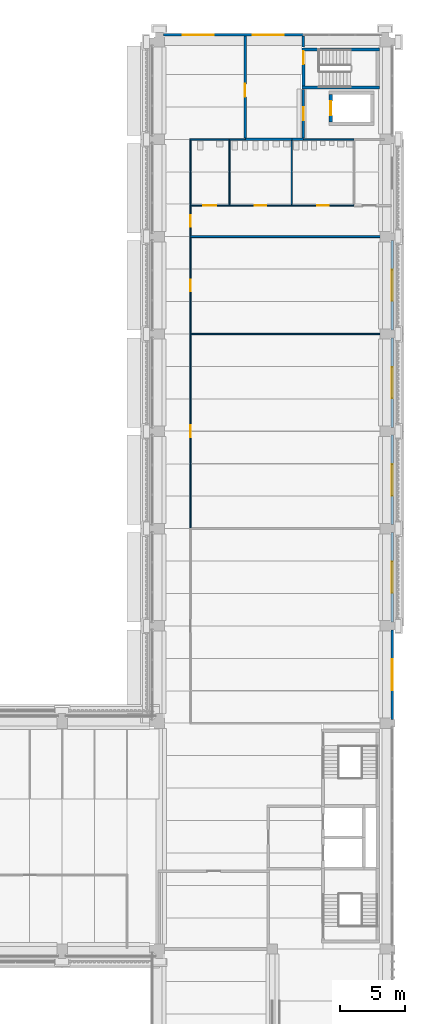
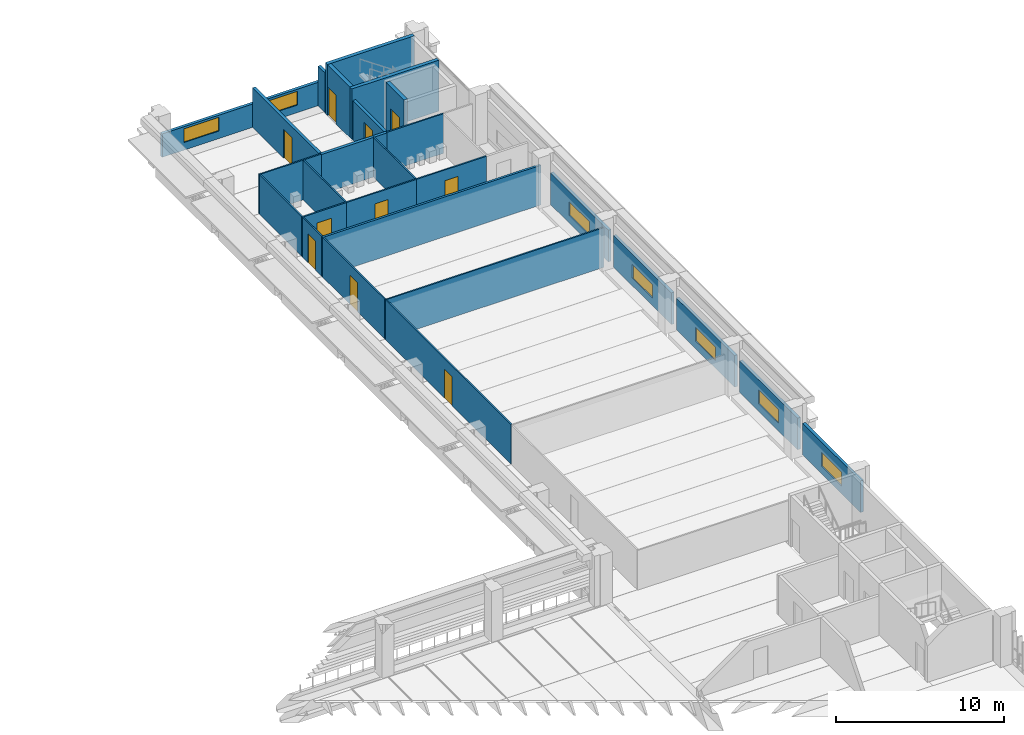
# One storey, part 36 of 71: 29 walls, 10 doors, 7 windows, 17 openings.
"""IFC4 building model written with IfcOpenShell, lengths in metres."""

from ifc_helpers import new_model, si_unit, direction, frame, frame_2d, origin, place, context, subcontext, project, spatial, rectangle, extrude, material, layer, layer_set, type_object, element, fill, save


model = new_model("IFC4")

# Units and contexts
model_context = context("Model", 3, precision=1e-05, world=origin(), true_north=direction((0.0, 1.0)))
body_context = subcontext(model_context, "Body", "Model", "MODEL_VIEW")
ifc_project = project(units=[si_unit("LENGTHUNIT", "METRE"), si_unit("AREAUNIT", "SQUARE_METRE"), si_unit("VOLUMEUNIT", "CUBIC_METRE"), si_unit("PLANEANGLEUNIT", "RADIAN"), si_unit("MASSUNIT", "GRAM", prefix="KILO")], contexts=[model_context])

# Site, building, storey
site_placement = place(None, origin())
site = spatial("IfcSite", under=ifc_project, at=site_placement, CompositionType="ELEMENT")
building_placement = place(site_placement, origin())
building = spatial("IfcBuilding", under=site, at=building_placement, Name="Cour d'Honneur Mobility Palace", CompositionType="ELEMENT")
storey_placement = place(building_placement, frame((0.0, 0.0, 15.60009765625)))
storey = spatial("IfcBuildingStorey", under=building, at=storey_placement, Name="L04", CompositionType="ELEMENT", Elevation=15.60009765625)

# Wall, opening, door
ifc_material_1 = material(Name="Concrete C50", Category="concrete")
ifc_layer_1 = layer(ifc_material_1, 0.25)
ifc_layer_set_1 = layer_set([ifc_layer_1], Name="Concrete C50")
wall_type_1 = type_object("IfcWallType", Name="Lift shaft wall 250", PredefinedType="SHEAR", material=ifc_layer_set_1)
wall_1_placement = place(storey_placement, frame((158.10009765625, 108.72509765625, 0.0), z_axis=(0.0, 0.0, 1.0), x_axis=(0.0, 1.0, 0.0)))
wall_1 = element("IfcWall", 1, at=wall_1_placement, inside=storey, type_object=wall_type_1, Name="Lift shaft wall WL-NE6 L04", PredefinedType="SHEAR", context=body_context, shape_type="SweptSolid", body=[
    extrude(rectangle(XDim=2.14990234375, YDim=0.25, at=frame_2d((1.074951171875, 0.0))), origin(), (0.0, 0.0, 1.0), 3.699951171875),
])
opening_1_placement = place(wall_1_placement, frame((0.52490234375, 0.0, 0.0)))
opening_1 = element("IfcOpeningElement", 2, at=opening_1_placement, cuts=wall_1, Name="Opening LD63", PredefinedType="OPENING", context=body_context, shape_type="SweptSolid", body=[
    extrude(rectangle(XDim=1.10009765625, YDim=2.10009765625, at=frame_2d((0.550048828125, 1.050048828125))), frame((0.0, 0.135009765625, 0.0), z_axis=(0.0, -1.0, 0.0), x_axis=(1.0, 0.0, 0.0)), (0.0, 0.0, 1.0), 0.27001953125),
])
ifc_material_2 = material(Name="Stainless steel", Category="steel")
door_type_1 = type_object("IfcDoorType", Name="Landing door 1100 x 2100", OperationType="SLIDING_TO_LEFT", PredefinedType="DOOR", material=ifc_material_2)
door_1_placement = place(opening_1_placement, origin())
door_1 = element("IfcDoor", 3, at=door_1_placement, inside=storey, type_object=door_type_1, Name="Landing door LF-NE1 L04", OperationType="SLIDING_TO_LEFT", OverallHeight=2.10009765625, OverallWidth=1.10009765625, PredefinedType="DOOR", context=body_context, shape_type="SweptSolid", body=[
    extrude(rectangle(XDim=1.10009765625, YDim=2.10009765625, at=frame_2d((0.550048828125, 1.050048828125))), frame((0.0, 0.02490234375, 0.0), z_axis=(0.0, -1.0, 0.0), x_axis=(1.0, 0.0, 0.0)), (0.0, 0.0, 1.0), 0.050048828125),
])
fill(opening_1, door_1)

ifc_material_3 = material(Name="Concrete C50", Category="concrete")
ifc_layer_2 = layer(ifc_material_3, 0.199951171875)
ifc_layer_set_2 = layer_set([ifc_layer_2], Name="Concrete C50")
wall_type_2 = type_object("IfcWallType", Name="Load-bearing lobby wall 200 rated EI 120", PredefinedType="PARTITIONING", material=ifc_layer_set_2)
wall_2_placement = place(storey_placement, frame((156.0, 107.5, 0.0), z_axis=(0.0, 0.0, 1.0), x_axis=(0.0, 1.0, 0.0)))
wall_2 = element("IfcWall", 4, at=wall_2_placement, inside=storey, type_object=wall_type_2, Name="Partition 102", PredefinedType="PARTITIONING", context=body_context, shape_type="SweptSolid", body=[
    extrude(rectangle(XDim=3.72509765625, YDim=0.199951171875, at=frame_2d((1.862548828125, 0.0))), origin(), (0.0, 0.0, 1.0), 2.8798828125),
])
opening_2_placement = place(wall_2_placement, frame((1.362548828125, 0.0, 0.0)))
opening_2 = element("IfcOpeningElement", 5, at=opening_2_placement, cuts=wall_2, Name="Opening D0439", PredefinedType="OPENING", context=body_context, shape_type="SweptSolid", body=[
    extrude(rectangle(XDim=1.0, YDim=2.10009765625, at=frame_2d((0.5, 1.050048828125))), frame((0.0, 0.10986328125, 0.0), z_axis=(0.0, -1.0, 0.0), x_axis=(1.0, 0.0, 0.0)), (0.0, 0.0, 1.0), 0.219970703125),
])
ifc_material_4 = material(Name="Galvanised steel", Category="steel")
door_type_2 = type_object("IfcDoorType", Name="Fire door FD120 1000 x 2100", OperationType="SINGLE_SWING_LEFT", PredefinedType="DOOR", material=ifc_material_4)
door_2_placement = place(opening_2_placement, origin())
door_2 = element("IfcDoor", 6, at=door_2_placement, inside=storey, type_object=door_type_2, Name="Door Lift Lobby", OperationType="SINGLE_SWING_RIGHT", OverallHeight=2.10009765625, OverallWidth=1.0, PredefinedType="DOOR", context=body_context, shape_type="SweptSolid", body=[
    extrude(rectangle(XDim=1.0, YDim=2.10009765625, at=frame_2d((0.5, 1.050048828125))), frame((0.0, 0.02490234375, 0.0), z_axis=(0.0, -1.0, 0.0), x_axis=(1.0, 0.0, 0.0)), (0.0, 0.0, 1.0), 0.050048828125),
])
fill(opening_2, door_2)

ifc_material_5 = material(Name="Gypsum plasterboard")
ifc_layer_3 = layer(ifc_material_5, 0.10009765625)
ifc_layer_set_3 = layer_set([ifc_layer_3], Name="Gypsum plasterboard")
wall_type_3 = type_object("IfcWallType", Name="Partition 100", PredefinedType="PARTITIONING", material=ifc_layer_set_3)
wall_3_placement = place(storey_placement, frame((147.300048828125, 92.35009765625, 0.0), z_axis=(0.0, 0.0, 1.0), x_axis=(0.0, -1.0, 0.0)))
wall_3 = element("IfcWall", 7, at=wall_3_placement, inside=storey, type_object=wall_type_3, Name="Partition 069", PredefinedType="PARTITIONING", context=body_context, shape_type="SweptSolid", body=[
    extrude(rectangle(XDim=14.900146484375, YDim=0.10009765625, at=frame_2d((7.4501953125, 0.0))), origin(), (0.0, 0.0, 1.0), 2.8798828125),
])
opening_3_placement = place(wall_3_placement, frame((7.0, 0.0, 0.0)))
opening_3 = element("IfcOpeningElement", 8, at=opening_3_placement, cuts=wall_3, Name="Opening D0430", PredefinedType="OPENING", context=body_context, shape_type="SweptSolid", body=[
    extrude(rectangle(XDim=0.89990234375, YDim=2.10009765625, at=frame_2d((0.449951171875, 1.050048828125))), frame((0.0, 0.06005859375, 0.0), z_axis=(0.0, -1.0, 0.0), x_axis=(1.0, 0.0, 0.0)), (0.0, 0.0, 1.0), 0.1201171875),
])
ifc_material_6 = material(Name="Solid timber", Category="wood")
door_type_3 = type_object("IfcDoorType", Name="Single door 900 x 2100", OperationType="SINGLE_SWING_LEFT", PredefinedType="DOOR", material=ifc_material_6)
door_3_placement = place(opening_3_placement, origin())
door_3 = element("IfcDoor", 9, at=door_3_placement, inside=storey, type_object=door_type_3, Name="Door Community Room 2", OperationType="SINGLE_SWING_LEFT", OverallHeight=2.10009765625, OverallWidth=0.89990234375, PredefinedType="DOOR", context=body_context, shape_type="SweptSolid", body=[
    extrude(rectangle(XDim=0.89990234375, YDim=2.10009765625, at=frame_2d((0.449951171875, 1.050048828125))), frame((0.0, 0.02490234375, 0.0), z_axis=(0.0, -1.0, 0.0), x_axis=(1.0, 0.0, 0.0)), (0.0, 0.0, 1.0), 0.050048828125),
])
fill(opening_3, door_3)

# Wall
wall_4_placement = place(storey_placement, frame((162.239990234375, 92.39990234375, 0.0), z_axis=(0.0, 0.0, 1.0), x_axis=(-1.0, 0.0, 0.0)))
element("IfcWall", 10, at=wall_4_placement, inside=storey, type_object=wall_type_3, Name="Partition 070", PredefinedType="PARTITIONING", context=body_context, shape_type="SweptSolid", body=[
    extrude(rectangle(XDim=14.989990234375, YDim=0.10009765625, at=frame_2d((7.4951171875, 0.0))), origin(), (0.0, 0.0, 1.0), 2.8798828125),
])

# Wall, opening, door
wall_5_placement = place(storey_placement, frame((147.300048828125, 99.824951171875, 0.0), z_axis=(0.0, 0.0, 1.0), x_axis=(0.0, -1.0, 0.0)))
wall_5 = element("IfcWall", 11, at=wall_5_placement, inside=storey, type_object=wall_type_3, Name="Partition 073", PredefinedType="PARTITIONING", context=body_context, shape_type="SweptSolid", body=[
    extrude(rectangle(XDim=7.375, YDim=0.10009765625, at=frame_2d((3.6875, 0.0))), origin(), (0.0, 0.0, 1.0), 2.8798828125),
])
opening_4_placement = place(wall_5_placement, frame((3.237548828125, 0.0, 0.0)))
opening_4 = element("IfcOpeningElement", 12, at=opening_4_placement, cuts=wall_5, Name="Opening D0431", PredefinedType="OPENING", context=body_context, shape_type="SweptSolid", body=[
    extrude(rectangle(XDim=0.89990234375, YDim=2.10009765625, at=frame_2d((0.449951171875, 1.050048828125))), frame((0.0, 0.06005859375, 0.0), z_axis=(0.0, -1.0, 0.0), x_axis=(1.0, 0.0, 0.0)), (0.0, 0.0, 1.0), 0.1201171875),
])
door_4_placement = place(opening_4_placement, origin())
door_4 = element("IfcDoor", 13, at=door_4_placement, inside=storey, type_object=door_type_3, Name="Door Mobility Shop", OperationType="SINGLE_SWING_LEFT", OverallHeight=2.10009765625, OverallWidth=0.89990234375, PredefinedType="DOOR", context=body_context, shape_type="SweptSolid", body=[
    extrude(rectangle(XDim=0.89990234375, YDim=2.10009765625, at=frame_2d((0.449951171875, 1.050048828125))), frame((0.0, 0.02490234375, 0.0), z_axis=(0.0, -1.0, 0.0), x_axis=(1.0, 0.0, 0.0)), (0.0, 0.0, 1.0), 0.050048828125),
])
fill(opening_4, door_4)

wall_6_placement = place(storey_placement, frame((147.300048828125, 102.25, 0.0), z_axis=(0.0, 0.0, 1.0), x_axis=(0.0, -1.0, 0.0)))
wall_6 = element("IfcWall", 14, at=wall_6_placement, inside=storey, type_object=wall_type_3, Name="Partition 083", PredefinedType="PARTITIONING", context=body_context, shape_type="SweptSolid", body=[
    extrude(rectangle(XDim=2.27490234375, YDim=0.10009765625, at=frame_2d((1.137451171875, 0.0))), origin(), (0.0, 0.0, 1.0), 2.8798828125),
])
opening_5_placement = place(wall_6_placement, frame((0.6875, 0.0, 0.0)))
opening_5 = element("IfcOpeningElement", 15, at=opening_5_placement, cuts=wall_6, Name="Opening D0432", PredefinedType="OPENING", context=body_context, shape_type="SweptSolid", body=[
    extrude(rectangle(XDim=0.89990234375, YDim=2.10009765625, at=frame_2d((0.449951171875, 1.050048828125))), frame((0.0, 0.06005859375, 0.0), z_axis=(0.0, -1.0, 0.0), x_axis=(1.0, 0.0, 0.0)), (0.0, 0.0, 1.0), 0.1201171875),
])
door_5_placement = place(opening_5_placement, origin())
door_5 = element("IfcDoor", 16, at=door_5_placement, inside=storey, type_object=door_type_3, Name="Door WC Corridor East", OperationType="SINGLE_SWING_LEFT", OverallHeight=2.10009765625, OverallWidth=0.89990234375, PredefinedType="DOOR", context=body_context, shape_type="SweptSolid", body=[
    extrude(rectangle(XDim=0.89990234375, YDim=2.10009765625, at=frame_2d((0.449951171875, 1.050048828125))), frame((0.0, 0.02490234375, 0.0), z_axis=(0.0, -1.0, 0.0), x_axis=(1.0, 0.0, 0.0)), (0.0, 0.0, 1.0), 0.050048828125),
])
fill(opening_5, door_5)

wall_7_placement = place(storey_placement, frame((150.300048828125, 102.300048828125, 0.0), z_axis=(0.0, 0.0, 1.0), x_axis=(-1.0, 0.0, 0.0)))
wall_7 = element("IfcWall", 17, at=wall_7_placement, inside=storey, type_object=wall_type_3, Name="Partition 084", PredefinedType="PARTITIONING", context=body_context, shape_type="SweptSolid", body=[
    extrude(rectangle(XDim=3.050048828125, YDim=0.10009765625, at=frame_2d((1.52490234375, 0.0))), origin(), (0.0, 0.0, 1.0), 2.8798828125),
])
opening_6_placement = place(wall_7_placement, frame((1.02490234375, 0.0, 0.0)))
opening_6 = element("IfcOpeningElement", 18, at=opening_6_placement, cuts=wall_7, Name="Opening D0436", PredefinedType="OPENING", context=body_context, shape_type="SweptSolid", body=[
    extrude(rectangle(XDim=1.0, YDim=2.10009765625, at=frame_2d((0.5, 1.050048828125))), frame((0.0, 0.06005859375, 0.0), z_axis=(0.0, -1.0, 0.0), x_axis=(1.0, 0.0, 0.0)), (0.0, 0.0, 1.0), 0.1201171875),
])
ifc_material_7 = material(Name="Solid timber", Category="wood")
door_type_4 = type_object("IfcDoorType", Name="Accessible door 1000 x 2100", OperationType="SINGLE_SWING_LEFT", PredefinedType="DOOR", material=ifc_material_7)
door_6_placement = place(opening_6_placement, origin())
door_6 = element("IfcDoor", 19, at=door_6_placement, inside=storey, type_object=door_type_4, Name="Door Accessible WC East", OperationType="SINGLE_SWING_RIGHT", OverallHeight=2.10009765625, OverallWidth=1.0, PredefinedType="DOOR", context=body_context, shape_type="SweptSolid", body=[
    extrude(rectangle(XDim=1.0, YDim=2.10009765625, at=frame_2d((0.5, 1.050048828125))), frame((0.0, 0.02490234375, 0.0), z_axis=(0.0, -1.0, 0.0), x_axis=(1.0, 0.0, 0.0)), (0.0, 0.0, 1.0), 0.050048828125),
])
fill(opening_6, door_6)

wall_8_placement = place(storey_placement, frame((155.10009765625, 102.300048828125, 0.0), z_axis=(0.0, 0.0, 1.0), x_axis=(-1.0, 0.0, 0.0)))
wall_8 = element("IfcWall", 20, at=wall_8_placement, inside=storey, type_object=wall_type_3, Name="Partition 085", PredefinedType="PARTITIONING", context=body_context, shape_type="SweptSolid", body=[
    extrude(rectangle(XDim=4.800048828125, YDim=0.10009765625, at=frame_2d((2.39990234375, 0.0))), origin(), (0.0, 0.0, 1.0), 2.8798828125),
])
opening_7_placement = place(wall_8_placement, frame((1.949951171875, 0.0, 0.0)))
opening_7 = element("IfcOpeningElement", 21, at=opening_7_placement, cuts=wall_8, Name="Opening D0435", PredefinedType="OPENING", context=body_context, shape_type="SweptSolid", body=[
    extrude(rectangle(XDim=0.89990234375, YDim=2.10009765625, at=frame_2d((0.449951171875, 1.050048828125))), frame((0.0, 0.06005859375, 0.0), z_axis=(0.0, -1.0, 0.0), x_axis=(1.0, 0.0, 0.0)), (0.0, 0.0, 1.0), 0.1201171875),
])
door_7_placement = place(opening_7_placement, origin())
door_7 = element("IfcDoor", 22, at=door_7_placement, inside=storey, type_object=door_type_3, Name="Door WC Women East", OperationType="SINGLE_SWING_LEFT", OverallHeight=2.10009765625, OverallWidth=0.89990234375, PredefinedType="DOOR", context=body_context, shape_type="SweptSolid", body=[
    extrude(rectangle(XDim=0.89990234375, YDim=2.10009765625, at=frame_2d((0.449951171875, 1.050048828125))), frame((0.0, 0.02490234375, 0.0), z_axis=(0.0, -1.0, 0.0), x_axis=(1.0, 0.0, 0.0)), (0.0, 0.0, 1.0), 0.050048828125),
])
fill(opening_7, door_7)

wall_9_placement = place(storey_placement, frame((159.89990234375, 102.300048828125, 0.0), z_axis=(0.0, 0.0, 1.0), x_axis=(-1.0, 0.0, 0.0)))
wall_9 = element("IfcWall", 23, at=wall_9_placement, inside=storey, type_object=wall_type_3, Name="Partition 086", PredefinedType="PARTITIONING", context=body_context, shape_type="SweptSolid", body=[
    extrude(rectangle(XDim=4.7998046875, YDim=0.10009765625, at=frame_2d((2.39990234375, 0.0))), origin(), (0.0, 0.0, 1.0), 2.8798828125),
])
opening_8_placement = place(wall_9_placement, frame((1.949951171875, 0.0, 0.0)))
opening_8 = element("IfcOpeningElement", 24, at=opening_8_placement, cuts=wall_9, Name="Opening D0434", PredefinedType="OPENING", context=body_context, shape_type="SweptSolid", body=[
    extrude(rectangle(XDim=0.89990234375, YDim=2.10009765625, at=frame_2d((0.449951171875, 1.050048828125))), frame((0.0, 0.06005859375, 0.0), z_axis=(0.0, -1.0, 0.0), x_axis=(1.0, 0.0, 0.0)), (0.0, 0.0, 1.0), 0.1201171875),
])
door_8_placement = place(opening_8_placement, origin())
door_8 = element("IfcDoor", 25, at=door_8_placement, inside=storey, type_object=door_type_3, Name="Door WC Men East", OperationType="SINGLE_SWING_LEFT", OverallHeight=2.10009765625, OverallWidth=0.89990234375, PredefinedType="DOOR", context=body_context, shape_type="SweptSolid", body=[
    extrude(rectangle(XDim=0.89990234375, YDim=2.10009765625, at=frame_2d((0.449951171875, 1.050048828125))), frame((0.0, 0.02490234375, 0.0), z_axis=(0.0, -1.0, 0.0), x_axis=(1.0, 0.0, 0.0)), (0.0, 0.0, 1.0), 0.050048828125),
])
fill(opening_8, door_8)

# Walls
for number, where, z_axis, x_axis, name in (
    (26, (147.300048828125, 107.35009765625, 0.0), (0.0, 0.0, 1.0), (0.0, -1.0, 0.0), "Partition 095"),
    (27, (150.300048828125, 107.35009765625, 0.0), (0.0, 0.0, 1.0), (0.0, -1.0, 0.0), "Partition 096"),
):
    element("IfcWall", number, at=place(storey_placement, frame(where, z_axis=z_axis, x_axis=x_axis)), inside=storey, type_object=wall_type_3, Name=name, PredefinedType="PARTITIONING", context=body_context, shape_type="SweptSolid", body=[
        extrude(rectangle(XDim=5.0, YDim=0.10009765625, at=frame_2d((2.5, 0.0))), origin(), (0.0, 0.0, 1.0), 2.8798828125),
    ])
wall_10_placement = place(storey_placement, frame((150.300048828125, 107.39990234375, 0.0), z_axis=(0.0, 0.0, 1.0), x_axis=(-1.0, 0.0, 0.0)))
element("IfcWall", 28, at=wall_10_placement, inside=storey, type_object=wall_type_3, Name="Partition 097", PredefinedType="PARTITIONING", context=body_context, shape_type="SweptSolid", body=[
    extrude(rectangle(XDim=3.050048828125, YDim=0.10009765625, at=frame_2d((1.52490234375, 0.0))), origin(), (0.0, 0.0, 1.0), 2.8798828125),
])
wall_11_placement = place(storey_placement, frame((151.5, 107.39990234375, 0.0), z_axis=(0.0, 0.0, 1.0), x_axis=(-1.0, 0.0, 0.0)))
element("IfcWall", 29, at=wall_11_placement, inside=storey, type_object=wall_type_3, Name="Partition 098", PredefinedType="PARTITIONING", context=body_context, shape_type="SweptSolid", body=[
    extrude(rectangle(XDim=1.199951171875, YDim=0.10009765625, at=frame_2d((0.60009765625, 0.0))), origin(), (0.0, 0.0, 1.0), 2.8798828125),
])
wall_12_placement = place(storey_placement, frame((155.10009765625, 107.300048828125, 0.0), z_axis=(0.0, 0.0, 1.0), x_axis=(0.0, -1.0, 0.0)))
element("IfcWall", 30, at=wall_12_placement, inside=storey, type_object=wall_type_3, Name="Partition 100", PredefinedType="PARTITIONING", context=body_context, shape_type="SweptSolid", body=[
    extrude(rectangle(XDim=4.949951171875, YDim=0.10009765625, at=frame_2d((2.47509765625, 0.0))), origin(), (0.0, 0.0, 1.0), 2.8798828125),
])
wall_13_placement = place(storey_placement, frame((159.89990234375, 107.39990234375, 0.0), z_axis=(0.0, 0.0, 1.0), x_axis=(-1.0, 0.0, 0.0)))
element("IfcWall", 31, at=wall_13_placement, inside=storey, type_object=wall_type_3, Name="Partition 104", PredefinedType="PARTITIONING", context=body_context, shape_type="SweptSolid", body=[
    extrude(rectangle(XDim=3.89990234375, YDim=0.10009765625, at=frame_2d((1.949951171875, 0.0))), origin(), (0.0, 0.0, 1.0), 2.8798828125),
])
ifc_material_8 = material(Name="Gypsum plasterboard")
ifc_layer_4 = layer(ifc_material_8, 0.14990234375)
ifc_layer_set_4 = layer_set([ifc_layer_4], Name="Gypsum plasterboard")
wall_type_4 = type_object("IfcWallType", Name="Partition 150 rated EI 60", PredefinedType="PARTITIONING", material=ifc_layer_set_4)
wall_14_placement = place(storey_placement, frame((162.239990234375, 99.89990234375, 0.0), z_axis=(0.0, 0.0, 1.0), x_axis=(-1.0, 0.0, 0.0)))
element("IfcWall", 32, at=wall_14_placement, inside=storey, type_object=wall_type_4, Name="Partition 074", PredefinedType="PARTITIONING", context=body_context, shape_type="SweptSolid", body=[
    extrude(rectangle(XDim=14.989990234375, YDim=0.14990234375, at=frame_2d((7.4951171875, 0.0))), origin(), (0.0, 0.0, 1.0), 2.8798828125),
])
ifc_material_9 = material(Name="Gypsum plasterboard")
ifc_layer_5 = layer(ifc_material_9, 0.199951171875)
ifc_layer_set_5 = layer_set([ifc_layer_5], Name="Gypsum plasterboard")
wall_type_5 = type_object("IfcWallType", Name="Partition 200 rated EI 120", PredefinedType="PARTITIONING", material=ifc_layer_set_5)
wall_15_placement = place(storey_placement, frame((151.5, 107.39990234375, 0.0), z_axis=(0.0, 0.0, 1.0), x_axis=(1.0, 0.0, 0.0)))
element("IfcWall", 33, at=wall_15_placement, inside=storey, type_object=wall_type_5, Name="Partition 099", PredefinedType="PARTITIONING", context=body_context, shape_type="SweptSolid", body=[
    extrude(rectangle(XDim=3.60009765625, YDim=0.199951171875, at=frame_2d((1.800048828125, 0.0))), origin(), (0.0, 0.0, 1.0), 2.8798828125),
])
wall_16_placement = place(storey_placement, frame((155.10009765625, 107.39990234375, 0.0), z_axis=(0.0, 0.0, 1.0), x_axis=(1.0, 0.0, 0.0)))
element("IfcWall", 34, at=wall_16_placement, inside=storey, type_object=wall_type_5, Name="Partition 101", PredefinedType="PARTITIONING", context=body_context, shape_type="SweptSolid", body=[
    extrude(rectangle(XDim=0.89990234375, YDim=0.199951171875, at=frame_2d((0.449951171875, 0.0))), origin(), (0.0, 0.0, 1.0), 2.8798828125),
])
wall_17_placement = place(storey_placement, frame((156.0, 114.5, 0.0), z_axis=(0.0, 0.0, 1.0), x_axis=(0.0, 1.0, 0.0)))
element("IfcWall", 35, at=wall_17_placement, inside=storey, type_object=wall_type_5, Name="Partition 107", PredefinedType="PARTITIONING", context=body_context, shape_type="SweptSolid", body=[
    extrude(rectangle(XDim=0.85009765625, YDim=0.199951171875, at=frame_2d((0.425048828125, 0.0))), origin(), (0.0, 0.0, 1.0), 2.8798828125),
])

# Wall, opening, door
wall_18_placement = place(storey_placement, frame((151.5, 115.35009765625, 0.0), z_axis=(0.0, 0.0, 1.0), x_axis=(0.0, -1.0, 0.0)))
wall_18 = element("IfcWall", 36, at=wall_18_placement, inside=storey, type_object=wall_type_5, Name="Partition 109", PredefinedType="PARTITIONING", context=body_context, shape_type="SweptSolid", body=[
    extrude(rectangle(XDim=7.85009765625, YDim=0.199951171875, at=frame_2d((3.925048828125, 0.0))), origin(), (0.0, 0.0, 1.0), 2.8798828125),
])
opening_9_placement = place(wall_18_placement, frame((3.679931640625, 0.0, 0.0)))
opening_9 = element("IfcOpeningElement", 37, at=opening_9_placement, cuts=wall_18, Name="Opening D0403", PredefinedType="OPENING", context=body_context, shape_type="SweptSolid", body=[
    extrude(rectangle(XDim=1.0, YDim=2.10009765625, at=frame_2d((0.5, 1.050048828125))), frame((0.0, 0.10986328125, 0.0), z_axis=(0.0, -1.0, 0.0), x_axis=(1.0, 0.0, 0.0)), (0.0, 0.0, 1.0), 0.219970703125),
])
door_9_placement = place(opening_9_placement, origin())
door_9 = element("IfcDoor", 38, at=door_9_placement, inside=storey, type_object=door_type_2, Name="Door Lift Lobby NE", OperationType="SINGLE_SWING_RIGHT", OverallHeight=2.10009765625, OverallWidth=1.0, PredefinedType="DOOR", context=body_context, shape_type="SweptSolid", body=[
    extrude(rectangle(XDim=1.0, YDim=2.10009765625, at=frame_2d((0.5, 1.050048828125))), frame((0.0, 0.02490234375, 0.0), z_axis=(0.0, -1.0, 0.0), x_axis=(1.0, 0.0, 0.0)), (0.0, 0.0, 1.0), 0.050048828125),
])
fill(opening_9, door_9)

# Wall, opening, window
ifc_material_10 = material(Name="Concrete C40", Category="concrete")
ifc_layer_6 = layer(ifc_material_10, 0.199951171875)
ifc_layer_set_6 = layer_set([ifc_layer_6], Name="Concrete C40")
wall_type_6 = type_object("IfcWallType", Name="Spandrel panel", PredefinedType="SOLIDWALL", material=ifc_layer_set_6)
wall_19_placement = place(storey_placement, frame((162.85009765625, 62.699951171875, 0.0), z_axis=(0.0, 0.0, 1.0), x_axis=(0.0, 1.0, 0.0)))
wall_19 = element("IfcWall", 39, at=wall_19_placement, inside=storey, type_object=wall_type_6, Name="Spandrel panel SW-57", PredefinedType="SOLIDWALL", context=body_context, shape_type="SweptSolid", body=[
    extrude(rectangle(XDim=6.900146484375, YDim=0.199951171875, at=frame_2d((3.4501953125, 0.0))), origin(), (0.0, 0.0, 1.0), 2.2998046875),
])
opening_10_placement = place(wall_19_placement, frame((2.25, 0.0, 0.550048828125)))
opening_10 = element("IfcOpeningElement", 40, at=opening_10_placement, cuts=wall_19, Name="Opening W2-57", PredefinedType="OPENING", context=body_context, shape_type="SweptSolid", body=[
    extrude(rectangle(XDim=2.39990234375, YDim=1.0, at=frame_2d((1.199951171875, 0.5))), frame((0.0, 0.10986328125, 0.0), z_axis=(0.0, -1.0, 0.0), x_axis=(1.0, 0.0, 0.0)), (0.0, 0.0, 1.0), 0.219970703125),
])
ifc_material_11 = material(Name="Aluminium frame and glass", Category="aluminium")
window_type = type_object("IfcWindowType", Name="Gallery window W2", PartitioningType="TRIPLE_PANEL_VERTICAL", PredefinedType="WINDOW", material=ifc_material_11)
window_1_placement = place(opening_10_placement, origin())
window_1 = element("IfcWindow", 41, at=window_1_placement, inside=storey, type_object=window_type, Name="Gallery window W2 W2-57", OverallHeight=1.0, OverallWidth=2.39990234375, PartitioningType="SINGLE_PANEL", PredefinedType="WINDOW", context=body_context, shape_type="SweptSolid", body=[
    extrude(rectangle(XDim=2.39990234375, YDim=1.0, at=frame_2d((1.199951171875, 0.5))), frame((0.0, 0.030029296875, 0.0), z_axis=(0.0, -1.0, 0.0), x_axis=(1.0, 0.0, 0.0)), (0.0, 0.0, 1.0), 0.06005859375),
])
fill(opening_10, window_1)

wall_20_placement = place(storey_placement, frame((162.85009765625, 70.199951171875, 0.0), z_axis=(0.0, 0.0, 1.0), x_axis=(0.0, 1.0, 0.0)))
wall_20 = element("IfcWall", 42, at=wall_20_placement, inside=storey, type_object=wall_type_6, Name="Spandrel panel SW-58", PredefinedType="SOLIDWALL", context=body_context, shape_type="SweptSolid", body=[
    extrude(rectangle(XDim=6.900146484375, YDim=0.199951171875, at=frame_2d((3.4501953125, 0.0))), origin(), (0.0, 0.0, 1.0), 2.2998046875),
])
opening_11_placement = place(wall_20_placement, frame((2.25, 0.0, 0.550048828125)))
opening_11 = element("IfcOpeningElement", 43, at=opening_11_placement, cuts=wall_20, Name="Opening W2-58", PredefinedType="OPENING", context=body_context, shape_type="SweptSolid", body=[
    extrude(rectangle(XDim=2.39990234375, YDim=1.0, at=frame_2d((1.199951171875, 0.5))), frame((0.0, 0.10986328125, 0.0), z_axis=(0.0, -1.0, 0.0), x_axis=(1.0, 0.0, 0.0)), (0.0, 0.0, 1.0), 0.219970703125),
])
window_2_placement = place(opening_11_placement, origin())
window_2 = element("IfcWindow", 44, at=window_2_placement, inside=storey, type_object=window_type, Name="Gallery window W2 W2-58", OverallHeight=1.0, OverallWidth=2.39990234375, PartitioningType="SINGLE_PANEL", PredefinedType="WINDOW", context=body_context, shape_type="SweptSolid", body=[
    extrude(rectangle(XDim=2.39990234375, YDim=1.0, at=frame_2d((1.199951171875, 0.5))), frame((0.0, 0.030029296875, 0.0), z_axis=(0.0, -1.0, 0.0), x_axis=(1.0, 0.0, 0.0)), (0.0, 0.0, 1.0), 0.06005859375),
])
fill(opening_11, window_2)

wall_21_placement = place(storey_placement, frame((162.85009765625, 77.699951171875, 0.0), z_axis=(0.0, 0.0, 1.0), x_axis=(0.0, 1.0, 0.0)))
wall_21 = element("IfcWall", 45, at=wall_21_placement, inside=storey, type_object=wall_type_6, Name="Spandrel panel SW-59", PredefinedType="SOLIDWALL", context=body_context, shape_type="SweptSolid", body=[
    extrude(rectangle(XDim=6.900146484375, YDim=0.199951171875, at=frame_2d((3.4501953125, 0.0))), origin(), (0.0, 0.0, 1.0), 2.2998046875),
])
opening_12_placement = place(wall_21_placement, frame((2.25, 0.0, 0.550048828125)))
opening_12 = element("IfcOpeningElement", 46, at=opening_12_placement, cuts=wall_21, Name="Opening W2-59", PredefinedType="OPENING", context=body_context, shape_type="SweptSolid", body=[
    extrude(rectangle(XDim=2.39990234375, YDim=1.0, at=frame_2d((1.199951171875, 0.5))), frame((0.0, 0.10986328125, 0.0), z_axis=(0.0, -1.0, 0.0), x_axis=(1.0, 0.0, 0.0)), (0.0, 0.0, 1.0), 0.219970703125),
])
window_3_placement = place(opening_12_placement, origin())
window_3 = element("IfcWindow", 47, at=window_3_placement, inside=storey, type_object=window_type, Name="Gallery window W2 W2-59", OverallHeight=1.0, OverallWidth=2.39990234375, PartitioningType="SINGLE_PANEL", PredefinedType="WINDOW", context=body_context, shape_type="SweptSolid", body=[
    extrude(rectangle(XDim=2.39990234375, YDim=1.0, at=frame_2d((1.199951171875, 0.5))), frame((0.0, 0.030029296875, 0.0), z_axis=(0.0, -1.0, 0.0), x_axis=(1.0, 0.0, 0.0)), (0.0, 0.0, 1.0), 0.06005859375),
])
fill(opening_12, window_3)

wall_22_placement = place(storey_placement, frame((162.85009765625, 85.199951171875, 0.0), z_axis=(0.0, 0.0, 1.0), x_axis=(0.0, 1.0, 0.0)))
wall_22 = element("IfcWall", 48, at=wall_22_placement, inside=storey, type_object=wall_type_6, Name="Spandrel panel SW-60", PredefinedType="SOLIDWALL", context=body_context, shape_type="SweptSolid", body=[
    extrude(rectangle(XDim=6.900146484375, YDim=0.199951171875, at=frame_2d((3.4501953125, 0.0))), origin(), (0.0, 0.0, 1.0), 2.2998046875),
])
opening_13_placement = place(wall_22_placement, frame((2.25, 0.0, 0.550048828125)))
opening_13 = element("IfcOpeningElement", 49, at=opening_13_placement, cuts=wall_22, Name="Opening W2-60", PredefinedType="OPENING", context=body_context, shape_type="SweptSolid", body=[
    extrude(rectangle(XDim=2.39990234375, YDim=1.0, at=frame_2d((1.199951171875, 0.5))), frame((0.0, 0.10986328125, 0.0), z_axis=(0.0, -1.0, 0.0), x_axis=(1.0, 0.0, 0.0)), (0.0, 0.0, 1.0), 0.219970703125),
])
window_4_placement = place(opening_13_placement, origin())
window_4 = element("IfcWindow", 50, at=window_4_placement, inside=storey, type_object=window_type, Name="Gallery window W2 W2-60", OverallHeight=1.0, OverallWidth=2.39990234375, PartitioningType="SINGLE_PANEL", PredefinedType="WINDOW", context=body_context, shape_type="SweptSolid", body=[
    extrude(rectangle(XDim=2.39990234375, YDim=1.0, at=frame_2d((1.199951171875, 0.5))), frame((0.0, 0.030029296875, 0.0), z_axis=(0.0, -1.0, 0.0), x_axis=(1.0, 0.0, 0.0)), (0.0, 0.0, 1.0), 0.06005859375),
])
fill(opening_13, window_4)

wall_23_placement = place(storey_placement, frame((162.85009765625, 92.699951171875, 0.0), z_axis=(0.0, 0.0, 1.0), x_axis=(0.0, 1.0, 0.0)))
wall_23 = element("IfcWall", 51, at=wall_23_placement, inside=storey, type_object=wall_type_6, Name="Spandrel panel SW-61", PredefinedType="SOLIDWALL", context=body_context, shape_type="SweptSolid", body=[
    extrude(rectangle(XDim=6.900146484375, YDim=0.199951171875, at=frame_2d((3.4501953125, 0.0))), origin(), (0.0, 0.0, 1.0), 2.2998046875),
])
opening_14_placement = place(wall_23_placement, frame((2.25, 0.0, 0.550048828125)))
opening_14 = element("IfcOpeningElement", 52, at=opening_14_placement, cuts=wall_23, Name="Opening W2-61", PredefinedType="OPENING", context=body_context, shape_type="SweptSolid", body=[
    extrude(rectangle(XDim=2.39990234375, YDim=1.0, at=frame_2d((1.199951171875, 0.5))), frame((0.0, 0.10986328125, 0.0), z_axis=(0.0, -1.0, 0.0), x_axis=(1.0, 0.0, 0.0)), (0.0, 0.0, 1.0), 0.219970703125),
])
window_5_placement = place(opening_14_placement, origin())
window_5 = element("IfcWindow", 53, at=window_5_placement, inside=storey, type_object=window_type, Name="Gallery window W2 W2-61", OverallHeight=1.0, OverallWidth=2.39990234375, PartitioningType="SINGLE_PANEL", PredefinedType="WINDOW", context=body_context, shape_type="SweptSolid", body=[
    extrude(rectangle(XDim=2.39990234375, YDim=1.0, at=frame_2d((1.199951171875, 0.5))), frame((0.0, 0.030029296875, 0.0), z_axis=(0.0, -1.0, 0.0), x_axis=(1.0, 0.0, 0.0)), (0.0, 0.0, 1.0), 0.06005859375),
])
fill(opening_14, window_5)

# Wall, openings, windows
wall_24_placement = place(storey_placement, frame((156.0, 115.449951171875, 0.0), z_axis=(0.0, 0.0, 1.0), x_axis=(-1.0, 0.0, 0.0)))
wall_24 = element("IfcWall", 54, at=wall_24_placement, inside=storey, type_object=wall_type_6, Name="Spandrel panel SW-64", PredefinedType="SOLIDWALL", context=body_context, shape_type="SweptSolid", body=[
    extrude(rectangle(XDim=10.800048828125, YDim=0.199951171875, at=frame_2d((5.39990234375, 0.0))), origin(), (0.0, 0.0, 1.0), 1.699951171875),
])
opening_15_placement = place(wall_24_placement, frame((1.5, 0.0, 0.550048828125)))
opening_15 = element("IfcOpeningElement", 55, at=opening_15_placement, cuts=wall_24, Name="Opening W2-63", PredefinedType="OPENING", context=body_context, shape_type="SweptSolid", body=[
    extrude(rectangle(XDim=2.39990234375, YDim=1.0, at=frame_2d((1.199951171875, 0.5))), frame((0.0, 0.10986328125, 0.0), z_axis=(0.0, -1.0, 0.0), x_axis=(1.0, 0.0, 0.0)), (0.0, 0.0, 1.0), 0.219970703125),
])
opening_16_placement = place(wall_24_placement, frame((6.89990234375, 0.0, 0.550048828125)))
opening_16 = element("IfcOpeningElement", 56, at=opening_16_placement, cuts=wall_24, Name="Opening W2-64", PredefinedType="OPENING", context=body_context, shape_type="SweptSolid", body=[
    extrude(rectangle(XDim=2.39990234375, YDim=1.0, at=frame_2d((1.199951171875, 0.5))), frame((0.0, 0.10986328125, 0.0), z_axis=(0.0, -1.0, 0.0), x_axis=(1.0, 0.0, 0.0)), (0.0, 0.0, 1.0), 0.219970703125),
])
window_6_placement = place(opening_15_placement, origin())
window_6 = element("IfcWindow", 57, at=window_6_placement, inside=storey, type_object=window_type, Name="Gallery window W2 W2-63", OverallHeight=1.0, OverallWidth=2.39990234375, PartitioningType="SINGLE_PANEL", PredefinedType="WINDOW", context=body_context, shape_type="SweptSolid", body=[
    extrude(rectangle(XDim=2.39990234375, YDim=1.0, at=frame_2d((1.199951171875, 0.5))), frame((0.0, 0.030029296875, 0.0), z_axis=(0.0, -1.0, 0.0), x_axis=(1.0, 0.0, 0.0)), (0.0, 0.0, 1.0), 0.06005859375),
])
fill(opening_15, window_6)
window_7_placement = place(opening_16_placement, origin())
window_7 = element("IfcWindow", 58, at=window_7_placement, inside=storey, type_object=window_type, Name="Gallery window W2 W2-64", OverallHeight=1.0, OverallWidth=2.39990234375, PartitioningType="SINGLE_PANEL", PredefinedType="WINDOW", context=body_context, shape_type="SweptSolid", body=[
    extrude(rectangle(XDim=2.39990234375, YDim=1.0, at=frame_2d((1.199951171875, 0.5))), frame((0.0, 0.030029296875, 0.0), z_axis=(0.0, -1.0, 0.0), x_axis=(1.0, 0.0, 0.0)), (0.0, 0.0, 1.0), 0.06005859375),
])
fill(opening_16, window_7)

# Walls
ifc_material_12 = material(Name="Concrete C50", Category="concrete")
ifc_layer_7 = layer(ifc_material_12, 0.25)
ifc_layer_set_7 = layer_set([ifc_layer_7], Name="Concrete C50")
wall_type_7 = type_object("IfcWallType", Name="Stair wall 250", PredefinedType="SHEAR", material=ifc_layer_set_7)
for number, where, z_axis, x_axis, name in (
    (59, (155.875, 111.39990234375, 0.0), (0.0, 0.0, 1.0), (1.0, 0.0, 0.0), "Stair wall WS-NE3 L04"),
    (60, (155.875, 114.324951171875, 0.0), (0.0, 0.0, 1.0), (1.0, 0.0, 0.0), "Stair wall WS-NE4 L04"),
):
    element("IfcWall", number, at=place(storey_placement, frame(where, z_axis=z_axis, x_axis=x_axis)), inside=storey, type_object=wall_type_7, Name=name, PredefinedType="SHEAR", context=body_context, shape_type="SweptSolid", body=[
        extrude(rectangle(XDim=5.97509765625, YDim=0.25, at=frame_2d((2.987548828125, 0.0))), origin(), (0.0, 0.0, 1.0), 3.699951171875),
    ])

# Wall, opening, door
wall_25_placement = place(storey_placement, frame((156.0, 111.52490234375, 0.0), z_axis=(0.0, 0.0, 1.0), x_axis=(0.0, 1.0, 0.0)))
wall_25 = element("IfcWall", 61, at=wall_25_placement, inside=storey, type_object=wall_type_7, Name="Stair wall WS-NE5 L04", PredefinedType="SHEAR", context=body_context, shape_type="SweptSolid", body=[
    extrude(rectangle(XDim=2.675048828125, YDim=0.25, at=frame_2d((1.33740234375, 0.0))), origin(), (0.0, 0.0, 1.0), 3.699951171875),
])
opening_17_placement = place(wall_25_placement, frame((1.675048828125, 0.0, 0.0)))
opening_17 = element("IfcOpeningElement", 62, at=opening_17_placement, cuts=wall_25, Name="Opening S107", PredefinedType="OPENING", context=body_context, shape_type="SweptSolid", body=[
    extrude(rectangle(XDim=1.0, YDim=2.10009765625, at=frame_2d((0.5, 1.050048828125))), frame((0.0, 0.135009765625, 0.0), z_axis=(0.0, -1.0, 0.0), x_axis=(1.0, 0.0, 0.0)), (0.0, 0.0, 1.0), 0.27001953125),
])
ifc_material_13 = material(Name="Galvanised steel", Category="steel")
door_type_5 = type_object("IfcDoorType", Name="Fire door FD120 stair 1000 x 2100", OperationType="SINGLE_SWING_LEFT", PredefinedType="DOOR", material=ifc_material_13)
door_10_placement = place(opening_17_placement, origin())
door_10 = element("IfcDoor", 63, at=door_10_placement, inside=storey, type_object=door_type_5, Name="Stair door ST-NE1 L04", OperationType="SINGLE_SWING_RIGHT", OverallHeight=2.10009765625, OverallWidth=1.0, PredefinedType="DOOR", context=body_context, shape_type="SweptSolid", body=[
    extrude(rectangle(XDim=1.0, YDim=2.10009765625, at=frame_2d((0.5, 1.050048828125))), frame((0.0, 0.02490234375, 0.0), z_axis=(0.0, -1.0, 0.0), x_axis=(1.0, 0.0, 0.0)), (0.0, 0.0, 1.0), 0.050048828125),
])
fill(opening_17, door_10)

save(model, "model.ifc")
